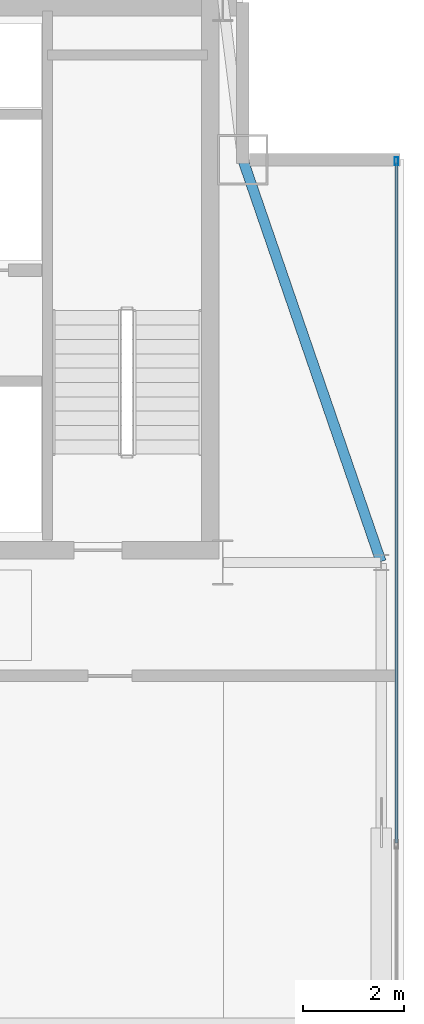
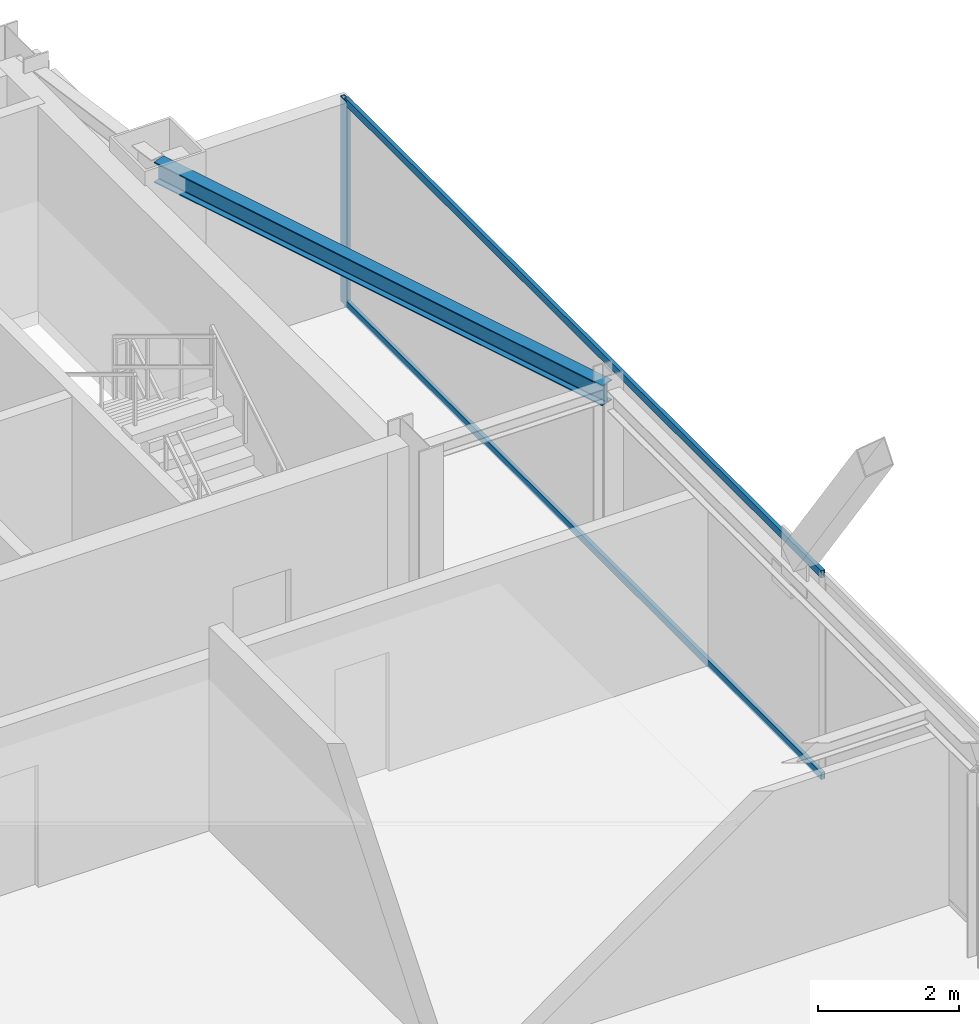
# One storey, part 17 of 24: 3 members, 1 beam, 1 element without a shape of its own.
"""IFC4 building model written with IfcOpenShell, lengths in metres."""

from ifc_helpers import new_model, si_unit, direction, frame, origin, origin_2d, place, context, subcontext, project, spatial, hollow_rectangle, i_section, extrude, source, transform, mapped, material, layer, layer_set, material_profile, profile_set, type_object, type_shapes, element, aggregate, save


model = new_model("IFC4")

# Units and contexts
model_context = context("Model", 3, precision=1e-05, world=origin(), true_north=direction((0.0, 1.0)))
body_context = subcontext(model_context, "Body", "Model", "MODEL_VIEW")
ifc_project = project(units=[si_unit("LENGTHUNIT", "METRE"), si_unit("AREAUNIT", "SQUARE_METRE"), si_unit("VOLUMEUNIT", "CUBIC_METRE"), si_unit("PLANEANGLEUNIT", "RADIAN"), si_unit("MASSUNIT", "GRAM", prefix="KILO")], contexts=[model_context])

# Site, building, storey
site_placement = place(None, origin())
site = spatial("IfcSite", under=ifc_project, at=site_placement, CompositionType="ELEMENT")
building_placement = place(site_placement, origin())
building = spatial("IfcBuilding", under=site, at=building_placement, Name="Varnel Quay Broadcast Tower", CompositionType="ELEMENT")
storey_placement = place(building_placement, frame((0.0, 0.0, 277.39990234375)))
storey = spatial("IfcBuildingStorey", under=building, at=storey_placement, Name="L69", CompositionType="ELEMENT", Elevation=277.39990234375)

# Beam
ifc_material_1 = material(Name="Structural Steel CSA G40.21 350W", Category="steel")
ifc_material_profile_1 = material_profile(ifc_material_1, i_section(OverallWidth=0.205078125, OverallDepth=0.35400390625, WebThickness=0.009521484375, FlangeThickness=0.016845703125, FilletRadius=0.012939453125, at=origin_2d()), Name="W360X79")
ifc_profile_set_1 = profile_set([ifc_material_profile_1], Name="Structural Steel CSA G40.21 350W")
beam_type = type_object("IfcBeamType", Name="Beam_W360X79", PredefinedType="SPANDREL", material=ifc_profile_set_1)
shared_shape_1 = source(origin(), body_context, "Body", "SweptSolid", [
    extrude(i_section(OverallWidth=0.205078125, OverallDepth=0.35400390625, WebThickness=0.009521484375, FlangeThickness=0.016845703125, FilletRadius=0.012939453125, at=origin_2d()), origin(), (0.0, 0.0, 1.0), 8.41943359375),
])
type_shapes(beam_type, [shared_shape_1])
beam_placement = place(storey_placement, frame((55.54345703125, 35.618896484375, 3.373046875), z_axis=(-0.325087062108, 0.945684092099, 0.0), x_axis=(-0.945684092099, -0.325087062108, 0.0)))
element("IfcBeam", 1, at=beam_placement, inside=storey, type_object=beam_type, Name="L69 East Spandrel TC-E2-MC-NE", PredefinedType="SPANDREL", context=body_context, shape_type="MappedRepresentation", body=[
    mapped(shared_shape_1, transform((0.0, 0.0, 0.0), x_axis=(1.0, 0.0, 0.0), y_axis=(0.0, 1.0, 0.0), z_axis=(0.0, 0.0, 1.0), scale=1.0)),
])

# Curtain wall, members
ifc_material_2 = material(Name="Anodised Bronze Aluminium 6063-T6", Category="aluminium")
ifc_layer = layer(ifc_material_2, 0.18994140625, Name="Anodised Bronze Aluminium 6063-T6")
ifc_layer_set = layer_set([ifc_layer], Name="Anodised Bronze Aluminium 6063-T6")
curtain_wall_type = type_object("IfcCurtainWallType", Name="CW_UpperTower", PredefinedType="NOTDEFINED", material=ifc_layer_set)
curtain_wall_placement = place(storey_placement, origin())
curtain_wall = element("IfcCurtainWall", 2, at=curtain_wall_placement, inside=storey, type_object=curtain_wall_type, Name="L69 East Unitised Curtain Wall", PredefinedType="NOTDEFINED")
ifc_material_profile_2 = material_profile(ifc_material_2, hollow_rectangle(XDim=0.06494140625, YDim=0.1650390625, WallThickness=0.00341796875, at=origin_2d()), Name="ALU65X165X3.5")
ifc_profile_set_2 = profile_set([ifc_material_profile_2], Name="Anodised Bronze Aluminium 6063-T6")
member_type_1 = type_object("IfcMemberType", Name="Mull_CWS-03", PredefinedType="MULLION", material=ifc_profile_set_2)
shared_shape_2 = source(origin(), body_context, "Body", "SweptSolid", [
    extrude(hollow_rectangle(XDim=0.06494140625, YDim=0.1650390625, WallThickness=0.00341796875, at=origin_2d()), origin(), (0.0, 0.0, 1.0), 3.550048828125),
])
type_shapes(member_type_1, [shared_shape_2])
member_1_placement = place(storey_placement, frame((55.85009765625, 43.5673828125, 0.0), z_axis=(0.0, 0.0, 1.0), x_axis=(-1.0, 0.0, 0.0)))
member_1 = element("IfcMember", 3, at=member_1_placement, type_object=member_type_1, Name="CWS-03 mullion 3", PredefinedType="MULLION", context=body_context, shape_type="MappedRepresentation", body=[
    mapped(shared_shape_2, transform((0.0, 0.0, 0.0), x_axis=(1.0, 0.0, 0.0), y_axis=(0.0, 1.0, 0.0), z_axis=(0.0, 0.0, 1.0), scale=1.0)),
])
ifc_material_profile_3 = material_profile(ifc_material_2, hollow_rectangle(XDim=0.06005859375, YDim=0.125, WallThickness=0.0029296875, at=origin_2d()), Name="ALU60X125X3")
ifc_profile_set_3 = profile_set([ifc_material_profile_3], Name="Anodised Bronze Aluminium 6063-T6")
member_type_2 = type_object("IfcMemberType", Name="Tran_CWS-03", PredefinedType="USERDEFINED", material=ifc_profile_set_3)
shared_shape_3 = source(origin(), body_context, "Body", "SweptSolid", [
    extrude(hollow_rectangle(XDim=0.06005859375, YDim=0.125, WallThickness=0.0029296875, at=origin_2d()), origin(), (0.0, 0.0, 1.0), 13.50244140625),
])
type_shapes(member_type_2, [shared_shape_3])
member_2_placement = place(storey_placement, frame((55.85009765625, 30.032470703125, 0.030029296875), z_axis=(0.0, 1.0, 0.0), x_axis=(-1.0, 0.0, 0.0)))
member_2 = element("IfcMember", 4, at=member_2_placement, type_object=member_type_2, Name="CWS-03 transom 2.1", ObjectType="TRANSOM", PredefinedType="USERDEFINED", context=body_context, shape_type="MappedRepresentation", body=[
    mapped(shared_shape_3, transform((0.0, 0.0, 0.0), x_axis=(1.0, 0.0, 0.0), y_axis=(0.0, 1.0, 0.0), z_axis=(0.0, 0.0, 1.0), scale=1.0)),
])
member_3_placement = place(storey_placement, frame((55.85009765625, 30.032470703125, 3.52001953125), z_axis=(0.0, 1.0, 0.0), x_axis=(-1.0, 0.0, 0.0)))
member_3 = element("IfcMember", 5, at=member_3_placement, type_object=member_type_2, Name="CWS-03 transom 2.2", ObjectType="TRANSOM", PredefinedType="USERDEFINED", context=body_context, shape_type="MappedRepresentation", body=[
    mapped(shared_shape_3, transform((0.0, 0.0, 0.0), x_axis=(1.0, 0.0, 0.0), y_axis=(0.0, 1.0, 0.0), z_axis=(0.0, 0.0, 1.0), scale=1.0)),
])
aggregate(curtain_wall, [member_1, member_2, member_3])

save(model, "model.ifc")
